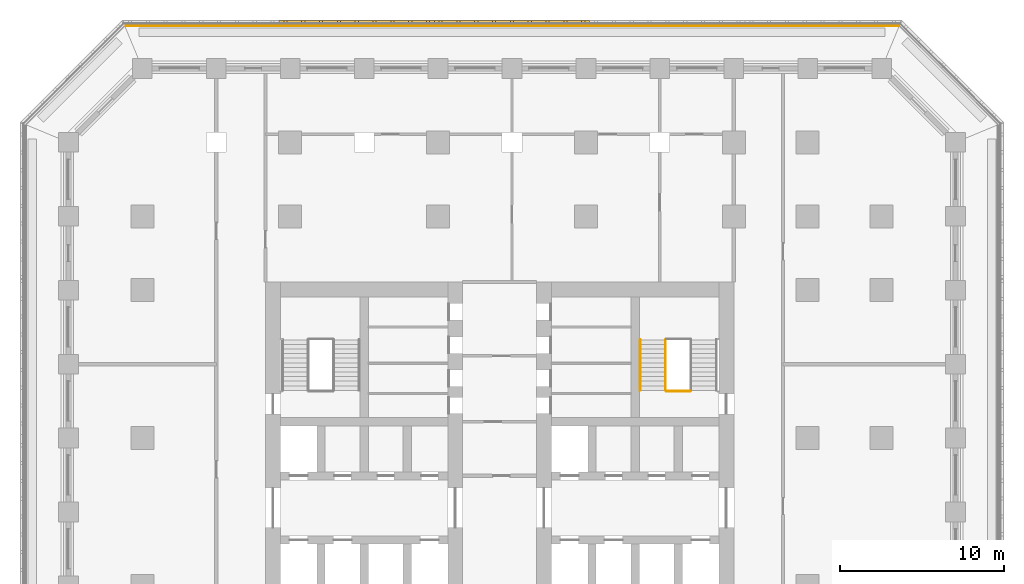
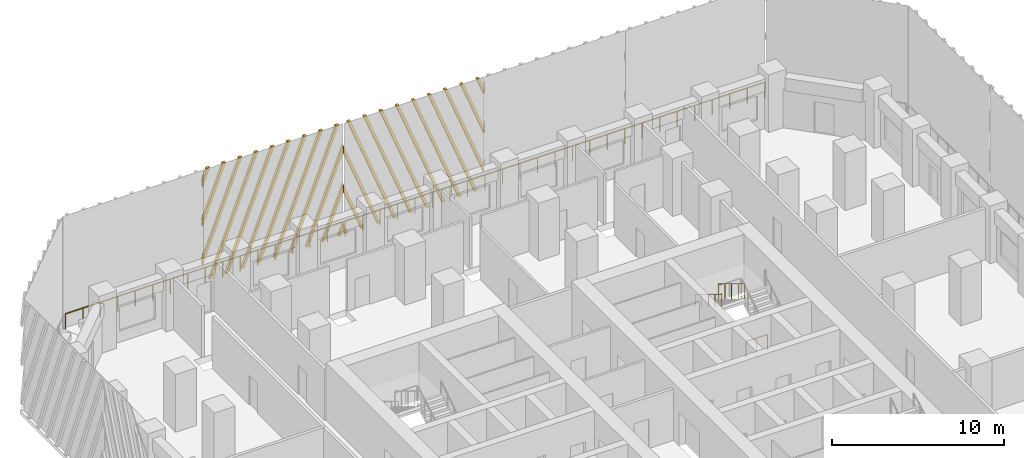
# One storey, part 16 of 19: 4 railings, 2 shading devices.
"""IFC4 building model written with IfcOpenShell, lengths in metres."""

from ifc_helpers import new_model, si_unit, direction, frame, origin, origin_2d, place, context, subcontext, project, spatial, polyline, circle, outline, extrude, source, transform, mapped, material, type_object, element, save


model = new_model("IFC4")

# Units and contexts
model_context = context("Model", 3, precision=1e-05, world=origin(), true_north=direction((0.0, 1.0)))
body_context = subcontext(model_context, "Body", "Model", "MODEL_VIEW")
ifc_project = project(units=[si_unit("LENGTHUNIT", "METRE"), si_unit("AREAUNIT", "SQUARE_METRE"), si_unit("VOLUMEUNIT", "CUBIC_METRE"), si_unit("PLANEANGLEUNIT", "RADIAN"), si_unit("MASSUNIT", "GRAM", prefix="KILO")], contexts=[model_context])

# Site, building, storey
site_placement = place(None, origin())
site = spatial("IfcSite", under=ifc_project, at=site_placement, CompositionType="ELEMENT")
building_placement = place(site_placement, origin())
building = spatial("IfcBuilding", under=site, at=building_placement, Name="Corbel Stack Research Tower", CompositionType="ELEMENT")
storey_placement = place(building_placement, frame((0.0, 0.0, 82.0)))
storey = spatial("IfcBuildingStorey", under=building, at=storey_placement, Name="L18", CompositionType="ELEMENT", Elevation=82.0)

# Railings
ifc_material_1 = material(Name="Steel S355", Category="steel")
railing_type_1 = type_object("IfcRailingType", Name="Stair guard 1100", PredefinedType="GUARDRAIL", material=ifc_material_1)
railing_1_placement = place(storey_placement, frame((13.85009765625, 14.97998046875, 2.220947265625)))
element("IfcRailing", 1, at=railing_1_placement, inside=storey, type_object=railing_type_1, Name="L18 ST-E2 stair guard 4", PredefinedType="GUARDRAIL", context=body_context, shape_type="SweptSolid", body=[
    extrude(circle(Radius=0.02392578125, at=origin_2d()), frame((0.0, 0.0, 1.076171875), z_axis=(0.0, -0.853666305674, 0.52082035152), x_axis=(1.0, 0.0, 0.0)), (0.0, 0.0, 1.0), 3.608154296875),
    extrude(circle(Radius=0.02099609375, at=origin_2d()), origin(), (0.0, 0.0, 1.0), 1.052001953125),
    extrude(circle(Radius=0.02099609375, at=origin_2d()), frame((0.0, -0.77001953125, 0.4697265625)), (0.0, 0.0, 1.0), 1.052001953125),
    extrude(circle(Radius=0.02099609375, at=origin_2d()), frame((0.0, -1.5400390625, 0.939453125)), (0.0, 0.0, 1.0), 1.052001953125),
    extrude(circle(Radius=0.02099609375, at=origin_2d()), frame((0.0, -2.31005859375, 1.409423828125)), (0.0, 0.0, 1.0), 1.052001953125),
    extrude(circle(Radius=0.02099609375, at=origin_2d()), frame((0.0, -3.080078125, 1.879150390625)), (0.0, 0.0, 1.0), 1.052001953125),
])
railing_2_placement = place(storey_placement, frame((15.35009765625, 11.85009765625, 0.0)))
element("IfcRailing", 2, at=railing_2_placement, inside=storey, type_object=railing_type_1, Name="L18 ST-E2 stair guard 5", PredefinedType="GUARDRAIL", context=body_context, shape_type="SweptSolid", body=[
    extrude(circle(Radius=0.02392578125, at=origin_2d()), frame((0.0, 0.0, 1.076171875), z_axis=(-1.0, 0.0, 0.0), x_axis=(0.0, -1.0, 0.0)), (0.0, 0.0, 1.0), 1.4501953125),
    extrude(circle(Radius=0.02099609375, at=origin_2d()), origin(), (0.0, 0.0, 1.0), 1.052001953125),
    extrude(circle(Radius=0.02099609375, at=origin_2d()), frame((-0.72509765625, 0.0, 0.0)), (0.0, 0.0, 1.0), 1.052001953125),
    extrude(circle(Radius=0.02099609375, at=origin_2d()), frame((-1.4501953125, 0.0, 0.0)), (0.0, 0.0, 1.0), 1.052001953125),
])
ifc_material_2 = material(Name="Steel S355", Category="steel")
railing_type_2 = type_object("IfcRailingType", Name="Stair handrail 900", PredefinedType="HANDRAIL", material=ifc_material_2)
railing_3_placement = place(storey_placement, frame((12.300048828125, 14.97998046875, 2.220947265625)))
element("IfcRailing", 3, at=railing_3_placement, inside=storey, type_object=railing_type_2, Name="L18 ST-E2 stair handrail 2", PredefinedType="HANDRAIL", context=body_context, shape_type="SweptSolid", body=[
    extrude(circle(Radius=0.02392578125, at=origin_2d()), frame((0.0, 0.0, 0.8759765625), z_axis=(0.0, -0.853666305674, 0.52082035152), x_axis=(1.0, 0.0, 0.0)), (0.0, 0.0, 1.0), 3.608154296875),
    extrude(circle(Radius=0.02099609375, at=origin_2d()), origin(), (0.0, 0.0, 1.0), 0.851806640625),
    extrude(circle(Radius=0.02099609375, at=origin_2d()), frame((0.0, -0.77001953125, 0.4697265625)), (0.0, 0.0, 1.0), 0.851806640625),
    extrude(circle(Radius=0.02099609375, at=origin_2d()), frame((0.0, -1.5400390625, 0.939453125)), (0.0, 0.0, 1.0), 0.851806640625),
    extrude(circle(Radius=0.02099609375, at=origin_2d()), frame((0.0, -2.31005859375, 1.409423828125)), (0.0, 0.0, 1.0), 0.851806640625),
    extrude(circle(Radius=0.02099609375, at=origin_2d()), frame((0.0, -3.080078125, 1.879150390625)), (0.0, 0.0, 1.0), 0.851806640625),
])
ifc_material_3 = material(Name="Powder-coated steel guard", Category="steel")
railing_type_3 = type_object("IfcRailingType", Name="Steel and glass guard 1100", PredefinedType="GUARDRAIL", material=ifc_material_3)
railing_4_placement = place(storey_placement, frame((28.00537109375, 34.10009765625, 0.0)))
element("IfcRailing", 4, at=railing_4_placement, inside=storey, type_object=railing_type_3, Name="Loggia guard L18 N", PredefinedType="GUARDRAIL", context=body_context, shape_type="SweptSolid", body=[
    extrude(circle(Radius=0.02392578125, at=origin_2d()), frame((0.0, 0.0, 1.076171875), z_axis=(-1.0, 0.0, 0.0), x_axis=(0.0, -1.0, 0.0)), (0.0, 0.0, 1.0), 47.0107421875),
    extrude(circle(Radius=0.02099609375, at=origin_2d()), origin(), (0.0, 0.0, 1.0), 1.052001953125),
    extrude(circle(Radius=0.02099609375, at=origin_2d()), frame((-1.17529296875, 0.0, 0.0)), (0.0, 0.0, 1.0), 1.052001953125),
    extrude(circle(Radius=0.02099609375, at=origin_2d()), frame((-2.3505859375, 0.0, 0.0)), (0.0, 0.0, 1.0), 1.052001953125),
    extrude(circle(Radius=0.02099609375, at=origin_2d()), frame((-3.52587890625, 0.0, 0.0)), (0.0, 0.0, 1.0), 1.052001953125),
    extrude(circle(Radius=0.02099609375, at=origin_2d()), frame((-4.701171875, 0.0, 0.0)), (0.0, 0.0, 1.0), 1.052001953125),
    extrude(circle(Radius=0.02099609375, at=origin_2d()), frame((-5.87646484375, 0.0, 0.0)), (0.0, 0.0, 1.0), 1.052001953125),
    extrude(circle(Radius=0.02099609375, at=origin_2d()), frame((-7.051513671875, 0.0, 0.0)), (0.0, 0.0, 1.0), 1.052001953125),
    extrude(circle(Radius=0.02099609375, at=origin_2d()), frame((-8.226806640625, 0.0, 0.0)), (0.0, 0.0, 1.0), 1.052001953125),
    extrude(circle(Radius=0.02099609375, at=origin_2d()), frame((-9.402099609375, 0.0, 0.0)), (0.0, 0.0, 1.0), 1.052001953125),
    extrude(circle(Radius=0.02099609375, at=origin_2d()), frame((-10.577392578125, 0.0, 0.0)), (0.0, 0.0, 1.0), 1.052001953125),
    extrude(circle(Radius=0.02099609375, at=origin_2d()), frame((-11.752685546875, 0.0, 0.0)), (0.0, 0.0, 1.0), 1.052001953125),
    extrude(circle(Radius=0.02099609375, at=origin_2d()), frame((-12.927978515625, 0.0, 0.0)), (0.0, 0.0, 1.0), 1.052001953125),
    extrude(circle(Radius=0.02099609375, at=origin_2d()), frame((-14.103271484375, 0.0, 0.0)), (0.0, 0.0, 1.0), 1.052001953125),
    extrude(circle(Radius=0.02099609375, at=origin_2d()), frame((-15.278564453125, 0.0, 0.0)), (0.0, 0.0, 1.0), 1.052001953125),
    extrude(circle(Radius=0.02099609375, at=origin_2d()), frame((-16.453857421875, 0.0, 0.0)), (0.0, 0.0, 1.0), 1.052001953125),
    extrude(circle(Radius=0.02099609375, at=origin_2d()), frame((-17.62890625, 0.0, 0.0)), (0.0, 0.0, 1.0), 1.052001953125),
    extrude(circle(Radius=0.02099609375, at=origin_2d()), frame((-18.80419921875, 0.0, 0.0)), (0.0, 0.0, 1.0), 1.052001953125),
    extrude(circle(Radius=0.02099609375, at=origin_2d()), frame((-19.9794921875, 0.0, 0.0)), (0.0, 0.0, 1.0), 1.052001953125),
    extrude(circle(Radius=0.02099609375, at=origin_2d()), frame((-21.15478515625, 0.0, 0.0)), (0.0, 0.0, 1.0), 1.052001953125),
    extrude(circle(Radius=0.02099609375, at=origin_2d()), frame((-22.330078125, 0.0, 0.0)), (0.0, 0.0, 1.0), 1.052001953125),
    extrude(circle(Radius=0.02099609375, at=origin_2d()), frame((-23.50537109375, 0.0, 0.0)), (0.0, 0.0, 1.0), 1.052001953125),
    extrude(circle(Radius=0.02099609375, at=origin_2d()), frame((-24.6806640625, 0.0, 0.0)), (0.0, 0.0, 1.0), 1.052001953125),
    extrude(circle(Radius=0.02099609375, at=origin_2d()), frame((-25.85595703125, 0.0, 0.0)), (0.0, 0.0, 1.0), 1.052001953125),
    extrude(circle(Radius=0.02099609375, at=origin_2d()), frame((-27.03125, 0.0, 0.0)), (0.0, 0.0, 1.0), 1.052001953125),
    extrude(circle(Radius=0.02099609375, at=origin_2d()), frame((-28.20654296875, 0.0, 0.0)), (0.0, 0.0, 1.0), 1.052001953125),
    extrude(circle(Radius=0.02099609375, at=origin_2d()), frame((-29.3818359375, 0.0, 0.0)), (0.0, 0.0, 1.0), 1.052001953125),
    extrude(circle(Radius=0.02099609375, at=origin_2d()), frame((-30.556884765625, 0.0, 0.0)), (0.0, 0.0, 1.0), 1.052001953125),
    extrude(circle(Radius=0.02099609375, at=origin_2d()), frame((-31.732177734375, 0.0, 0.0)), (0.0, 0.0, 1.0), 1.052001953125),
    extrude(circle(Radius=0.02099609375, at=origin_2d()), frame((-32.907470703125, 0.0, 0.0)), (0.0, 0.0, 1.0), 1.052001953125),
    extrude(circle(Radius=0.02099609375, at=origin_2d()), frame((-34.082763671875, 0.0, 0.0)), (0.0, 0.0, 1.0), 1.052001953125),
    extrude(circle(Radius=0.02099609375, at=origin_2d()), frame((-35.258056640625, 0.0, 0.0)), (0.0, 0.0, 1.0), 1.052001953125),
    extrude(circle(Radius=0.02099609375, at=origin_2d()), frame((-36.433349609375, 0.0, 0.0)), (0.0, 0.0, 1.0), 1.052001953125),
    extrude(circle(Radius=0.02099609375, at=origin_2d()), frame((-37.608642578125, 0.0, 0.0)), (0.0, 0.0, 1.0), 1.052001953125),
    extrude(circle(Radius=0.02099609375, at=origin_2d()), frame((-38.783935546875, 0.0, 0.0)), (0.0, 0.0, 1.0), 1.052001953125),
    extrude(circle(Radius=0.02099609375, at=origin_2d()), frame((-39.959228515625, 0.0, 0.0)), (0.0, 0.0, 1.0), 1.052001953125),
    extrude(circle(Radius=0.02099609375, at=origin_2d()), frame((-41.13427734375, 0.0, 0.0)), (0.0, 0.0, 1.0), 1.052001953125),
    extrude(circle(Radius=0.02099609375, at=origin_2d()), frame((-42.3095703125, 0.0, 0.0)), (0.0, 0.0, 1.0), 1.052001953125),
    extrude(circle(Radius=0.02099609375, at=origin_2d()), frame((-43.48486328125, 0.0, 0.0)), (0.0, 0.0, 1.0), 1.052001953125),
    extrude(circle(Radius=0.02099609375, at=origin_2d()), frame((-44.66015625, 0.0, 0.0)), (0.0, 0.0, 1.0), 1.052001953125),
    extrude(circle(Radius=0.02099609375, at=origin_2d()), frame((-45.83544921875, 0.0, 0.0)), (0.0, 0.0, 1.0), 1.052001953125),
    extrude(circle(Radius=0.02099609375, at=origin_2d()), frame((-47.0107421875, 0.0, 0.0)), (0.0, 0.0, 1.0), 1.052001953125),
])

# Shading devices
ifc_material_4 = material(Name="Precast terracotta", Category="masonry")
shading_device_type = type_object("IfcShadingDeviceType", Name="Terracotta screen panel", PredefinedType="USERDEFINED", material=ifc_material_4)
shared_shape_1 = source(origin(), body_context, "Body", "SweptSolid", [
    extrude(outline(polyline([(0.48828125, 7.949951171875), (0.298095703125, 7.949951171875), (0.0, 7.1865234375), (0.0, 6.699951171875), (0.48828125, 7.949951171875)])), frame((0.0, 0.0, 0.0), z_axis=(0.0, -1.0, 0.0), x_axis=(1.0, 0.0, 0.0)), (0.0, 0.0, 1.0), 0.179931640625),
    extrude(outline(polyline([(1.572998046875, 7.949951171875), (1.3828125, 7.949951171875), (0.0, 4.4091796875), (0.0, 3.922607421875), (1.572998046875, 7.949951171875)])), frame((0.0, 0.0, 0.0), z_axis=(0.0, -1.0, 0.0), x_axis=(1.0, 0.0, 0.0)), (0.0, 0.0, 1.0), 0.179931640625),
    extrude(outline(polyline([(2.657470703125, 7.949951171875), (2.467529296875, 7.949951171875), (0.0, 1.6318359375), (0.0, 1.1455078125), (2.657470703125, 7.949951171875)])), frame((0.0, 0.0, 0.0), z_axis=(0.0, -1.0, 0.0), x_axis=(1.0, 0.0, 0.0)), (0.0, 0.0, 1.0), 0.179931640625),
    extrude(outline(polyline([(0.63720703125, 0.0), (3.7421875, 7.949951171875), (3.55224609375, 7.949951171875), (0.447265625, 0.0), (0.63720703125, 0.0)])), frame((0.0, 0.0, 0.0), z_axis=(0.0, -1.0, 0.0), x_axis=(1.0, 0.0, 0.0)), (0.0, 0.0, 1.0), 0.179931640625),
    extrude(outline(polyline([(1.721923828125, 0.0), (4.826904296875, 7.949951171875), (4.636962890625, 7.949951171875), (1.531982421875, 0.0), (1.721923828125, 0.0)])), frame((0.0, 0.0, 0.0), z_axis=(0.0, -1.0, 0.0), x_axis=(1.0, 0.0, 0.0)), (0.0, 0.0, 1.0), 0.179931640625),
    extrude(outline(polyline([(2.806640625, 0.0), (5.91162109375, 7.949951171875), (5.721435546875, 7.949951171875), (2.61669921875, 0.0), (2.806640625, 0.0)])), frame((0.0, 0.0, 0.0), z_axis=(0.0, -1.0, 0.0), x_axis=(1.0, 0.0, 0.0)), (0.0, 0.0, 1.0), 0.179931640625),
    extrude(outline(polyline([(3.891357421875, 0.0), (6.99609375, 7.949951171875), (6.80615234375, 7.949951171875), (3.701416015625, 0.0), (3.891357421875, 0.0)])), frame((0.0, 0.0, 0.0), z_axis=(0.0, -1.0, 0.0), x_axis=(1.0, 0.0, 0.0)), (0.0, 0.0, 1.0), 0.179931640625),
    extrude(outline(polyline([(4.97607421875, 0.0), (8.080810546875, 7.949951171875), (7.890869140625, 7.949951171875), (4.785888671875, 0.0), (4.97607421875, 0.0)])), frame((0.0, 0.0, 0.0), z_axis=(0.0, -1.0, 0.0), x_axis=(1.0, 0.0, 0.0)), (0.0, 0.0, 1.0), 0.179931640625),
    extrude(outline(polyline([(6.060791015625, 0.0), (9.16552734375, 7.949951171875), (8.9755859375, 7.949951171875), (5.87060546875, 0.0), (6.060791015625, 0.0)])), frame((0.0, 0.0, 0.0), z_axis=(0.0, -1.0, 0.0), x_axis=(1.0, 0.0, 0.0)), (0.0, 0.0, 1.0), 0.179931640625),
    extrude(outline(polyline([(7.145263671875, 0.0), (9.45556640625, 5.91552734375), (9.45556640625, 6.402099609375), (6.955322265625, 0.0), (7.145263671875, 0.0)])), frame((0.0, 0.0, 0.0), z_axis=(0.0, -1.0, 0.0), x_axis=(1.0, 0.0, 0.0)), (0.0, 0.0, 1.0), 0.179931640625),
    extrude(outline(polyline([(8.22998046875, 0.0), (9.45556640625, 3.13818359375), (9.45556640625, 3.624755859375), (8.0400390625, 0.0), (8.22998046875, 0.0)])), frame((0.0, 0.0, 0.0), z_axis=(0.0, -1.0, 0.0), x_axis=(1.0, 0.0, 0.0)), (0.0, 0.0, 1.0), 0.179931640625),
    extrude(outline(polyline([(9.314697265625, 0.0), (9.45556640625, 0.361083984375), (9.45556640625, 0.847412109375), (9.124755859375, 0.0), (9.314697265625, 0.0)])), frame((0.0, 0.0, 0.0), z_axis=(0.0, -1.0, 0.0), x_axis=(1.0, 0.0, 0.0)), (0.0, 0.0, 1.0), 0.179931640625),
])
shading_device_1_placement = place(storey_placement, frame((9.227783203125, 34.25, 0.0), z_axis=(0.0, 0.0, 1.0), x_axis=(-1.0, 0.0, 0.0)))
element("IfcShadingDevice", 5, at=shading_device_1_placement, inside=storey, type_object=shading_device_type, Name="Terracotta screen L18 N3", ObjectType="SCREEN", PredefinedType="USERDEFINED", context=body_context, shape_type="MappedRepresentation", body=[
    mapped(shared_shape_1, transform((0.0, 0.0, 0.0))),
])
shared_shape_2 = source(origin(), body_context, "Body", "SweptSolid", [
    extrude(outline(polyline([(0.3310546875, 0.0), (0.0, 0.847412109375), (0.0, 0.361083984375), (0.14111328125, 0.0), (0.3310546875, 0.0)])), frame((0.0, 0.0, 0.0), z_axis=(0.0, -1.0, 0.0), x_axis=(1.0, 0.0, 0.0)), (0.0, 0.0, 1.0), 0.179931640625),
    extrude(outline(polyline([(1.41552734375, 0.0), (0.0, 3.624755859375), (0.0, 3.13818359375), (1.2255859375, 0.0), (1.41552734375, 0.0)])), frame((0.0, 0.0, 0.0), z_axis=(0.0, -1.0, 0.0), x_axis=(1.0, 0.0, 0.0)), (0.0, 0.0, 1.0), 0.179931640625),
    extrude(outline(polyline([(2.500244140625, 0.0), (0.0, 6.402099609375), (0.0, 5.91552734375), (2.310302734375, 0.0), (2.500244140625, 0.0)])), frame((0.0, 0.0, 0.0), z_axis=(0.0, -1.0, 0.0), x_axis=(1.0, 0.0, 0.0)), (0.0, 0.0, 1.0), 0.179931640625),
    extrude(outline(polyline([(3.5849609375, 0.0), (0.47998046875, 7.949951171875), (0.2900390625, 7.949951171875), (3.39501953125, 0.0), (3.5849609375, 0.0)])), frame((0.0, 0.0, 0.0), z_axis=(0.0, -1.0, 0.0), x_axis=(1.0, 0.0, 0.0)), (0.0, 0.0, 1.0), 0.179931640625),
    extrude(outline(polyline([(4.669677734375, 0.0), (1.564697265625, 7.949951171875), (1.374755859375, 7.949951171875), (4.4794921875, 0.0), (4.669677734375, 0.0)])), frame((0.0, 0.0, 0.0), z_axis=(0.0, -1.0, 0.0), x_axis=(1.0, 0.0, 0.0)), (0.0, 0.0, 1.0), 0.179931640625),
    extrude(outline(polyline([(5.75439453125, 0.0), (2.6494140625, 7.949951171875), (2.45947265625, 7.949951171875), (5.564208984375, 0.0), (5.75439453125, 0.0)])), frame((0.0, 0.0, 0.0), z_axis=(0.0, -1.0, 0.0), x_axis=(1.0, 0.0, 0.0)), (0.0, 0.0, 1.0), 0.179931640625),
    extrude(outline(polyline([(6.839111328125, 0.0), (3.734130859375, 7.949951171875), (3.544189453125, 7.949951171875), (6.64892578125, 0.0), (6.839111328125, 0.0)])), frame((0.0, 0.0, 0.0), z_axis=(0.0, -1.0, 0.0), x_axis=(1.0, 0.0, 0.0)), (0.0, 0.0, 1.0), 0.179931640625),
    extrude(outline(polyline([(7.923583984375, 0.0), (4.81884765625, 7.949951171875), (4.62890625, 7.949951171875), (7.733642578125, 0.0), (7.923583984375, 0.0)])), frame((0.0, 0.0, 0.0), z_axis=(0.0, -1.0, 0.0), x_axis=(1.0, 0.0, 0.0)), (0.0, 0.0, 1.0), 0.179931640625),
    extrude(outline(polyline([(9.00830078125, 0.0), (5.903564453125, 7.949951171875), (5.71337890625, 7.949951171875), (8.818359375, 0.0), (9.00830078125, 0.0)])), frame((0.0, 0.0, 0.0), z_axis=(0.0, -1.0, 0.0), x_axis=(1.0, 0.0, 0.0)), (0.0, 0.0, 1.0), 0.179931640625),
    extrude(outline(polyline([(6.988037109375, 7.949951171875), (6.798095703125, 7.949951171875), (9.45556640625, 1.1455078125), (9.45556640625, 1.6318359375), (6.988037109375, 7.949951171875)])), frame((0.0, 0.0, 0.0), z_axis=(0.0, -1.0, 0.0), x_axis=(1.0, 0.0, 0.0)), (0.0, 0.0, 1.0), 0.179931640625),
    extrude(outline(polyline([(8.07275390625, 7.949951171875), (7.8828125, 7.949951171875), (9.45556640625, 3.922607421875), (9.45556640625, 4.4091796875), (8.07275390625, 7.949951171875)])), frame((0.0, 0.0, 0.0), z_axis=(0.0, -1.0, 0.0), x_axis=(1.0, 0.0, 0.0)), (0.0, 0.0, 1.0), 0.179931640625),
    extrude(outline(polyline([(9.157470703125, 7.949951171875), (8.96728515625, 7.949951171875), (9.45556640625, 6.699951171875), (9.45556640625, 7.1865234375), (9.157470703125, 7.949951171875)])), frame((0.0, 0.0, 0.0), z_axis=(0.0, -1.0, 0.0), x_axis=(1.0, 0.0, 0.0)), (0.0, 0.0, 1.0), 0.179931640625),
])
shading_device_2_placement = place(storey_placement, frame((-0.227783203125, 34.25, 0.0), z_axis=(0.0, 0.0, 1.0), x_axis=(-1.0, 0.0, 0.0)))
element("IfcShadingDevice", 6, at=shading_device_2_placement, inside=storey, type_object=shading_device_type, Name="Terracotta screen L18 N4", ObjectType="SCREEN", PredefinedType="USERDEFINED", context=body_context, shape_type="MappedRepresentation", body=[
    mapped(shared_shape_2, transform((0.0, 0.0, 0.0))),
])

save(model, "model.ifc")
